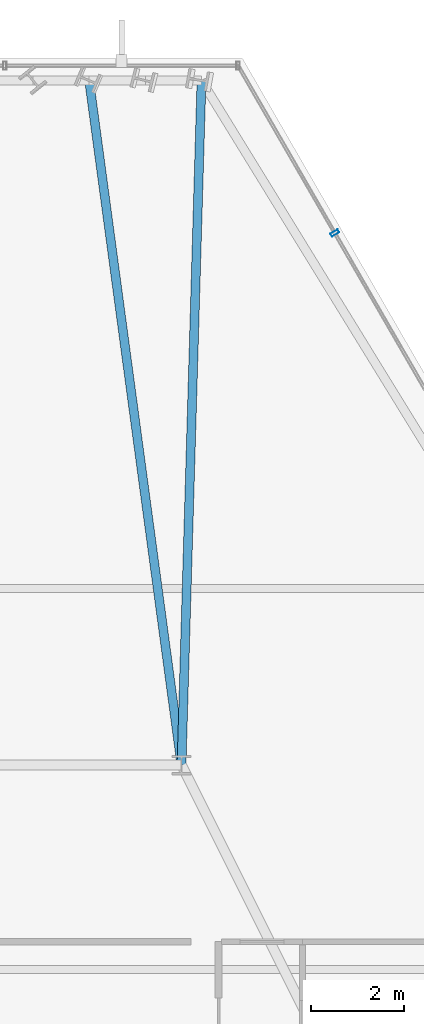
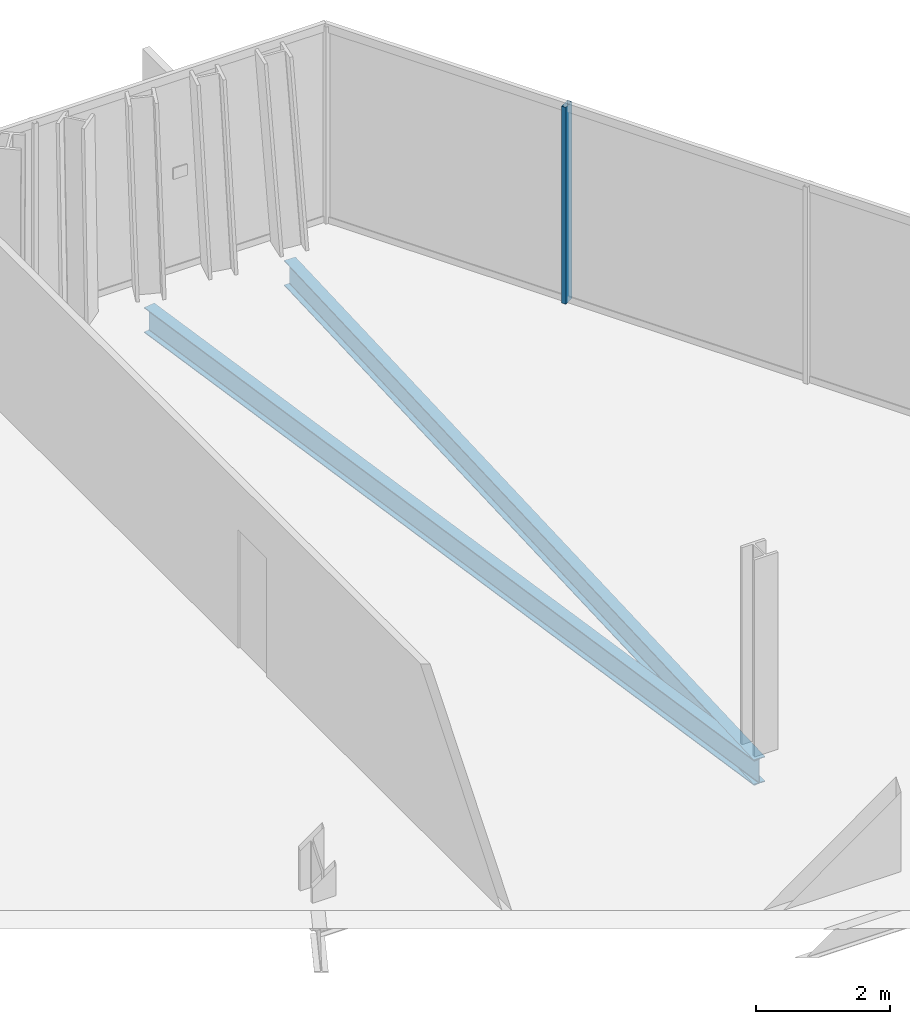
# One storey, part 24 of 35: 2 beams, 1 member, 1 element without a shape of its own.
"""IFC4 building model written with IfcOpenShell, lengths in metres."""

import ifcopenshell
import ifcopenshell.guid

model = None  # the IFC model being written
_history = None  # IfcOwnerHistory: only IFC2X3 demands one
_inside = {}  # id of a spatial element -> (the spatial element, [elements in it])
_under = {}  # id of a project, library or spatial element -> (it, [spatial elements below it])
_declared = {}  # id of a project -> (the project, [libraries it declares])
_typed = {}  # id of a type object -> (the type object, [elements of that type])
_made_of = {}  # id of a material, layer set ... -> (it, [elements and type objects made of it])


def new_model(schema):
    """Start an empty IFC model of exactly this schema.

    Asked for "IFC4X3", IfcOpenShell would pick the latest addendum, in which some entities
    have other attributes; the version numbers below select the first issue.
    IFC2X3 requires an IfcOwnerHistory on every rooted entity: one is made here for all.
    """
    global model, _history
    if schema == "IFC4X3":
        model = ifcopenshell.file(schema_version=(4, 3, 0, 0))
    else:
        model = ifcopenshell.file(schema=schema)
    _inside.clear()
    _under.clear()
    _declared.clear()
    _typed.clear()
    _made_of.clear()
    _history = None
    if model.schema == "IFC2X3":
        org = make("IfcOrganization", Name="unknown")
        user = make(
            "IfcPersonAndOrganization",
            ThePerson=make("IfcPerson", FamilyName="unknown"),
            TheOrganization=org,
        )
        app = make(
            "IfcApplication",
            ApplicationDeveloper=org,
            Version="unknown",
            ApplicationFullName="unknown",
            ApplicationIdentifier="unknown",
        )
        _history = make(
            "IfcOwnerHistory",
            OwningUser=user,
            OwningApplication=app,
            ChangeAction="ADDED",
            CreationDate=0,
        )
    return model


def make(cls, **values):
    """One entity of the class cls with the attributes given. An attribute that is None is left unset."""
    return model.create_entity(
        cls, **{name: value for name, value in values.items() if value is not None}
    )


def rooted(cls, **values):
    """An entity with a GlobalId (a new one), such as an element, a storey or a relation."""
    return make(cls, GlobalId=ifcopenshell.guid.new(), OwnerHistory=_history, **values)


def si_unit(unit_type, name, prefix=None):
    """IfcSIUnit, for example si_unit("LENGTHUNIT", "METRE", prefix="MILLI")."""
    return make("IfcSIUnit", UnitType=unit_type, Prefix=prefix, Name=name)


def assignment(units):
    """IfcUnitAssignment: the units of a project."""
    return None if units is None else make("IfcUnitAssignment", Units=units)


def point(xyz):
    """IfcCartesianPoint."""
    return None if xyz is None else make("IfcCartesianPoint", Coordinates=xyz)


def direction(xyz):
    """IfcDirection."""
    return None if xyz is None else make("IfcDirection", DirectionRatios=xyz)


def frame(location, z_axis=None, x_axis=None):
    """IfcAxis2Placement3D, a coordinate frame: its origin and axes. An axis left out is left unset."""
    return make(
        "IfcAxis2Placement3D",
        Location=point(location),
        Axis=direction(z_axis),
        RefDirection=direction(x_axis),
    )


def frame_2d(location, x_axis=None):
    """IfcAxis2Placement2D, a coordinate frame in the plane: its origin and x axis."""
    return make(
        "IfcAxis2Placement2D", Location=point(location), RefDirection=direction(x_axis)
    )


def origin():
    """The frame at (0, 0, 0) with its axes left unset."""
    return frame((0.0, 0.0, 0.0))


def origin_2d():
    """The frame at (0, 0) in the plane with its x axis left unset."""
    return frame_2d((0.0, 0.0))


def place(relative_to, where):
    """IfcLocalPlacement: puts the frame where relative to a parent placement (None: the world)."""
    return make(
        "IfcLocalPlacement", PlacementRelTo=relative_to, RelativePlacement=where
    )


def context(
    kind, dimensions, precision=None, world=None, true_north=None, identifier=None
):
    """IfcGeometricRepresentationContext, for example the 3D "Model" context."""
    return make(
        "IfcGeometricRepresentationContext",
        ContextIdentifier=identifier,
        ContextType=kind,
        CoordinateSpaceDimension=dimensions,
        Precision=precision,
        WorldCoordinateSystem=world,
        TrueNorth=true_north,
    )


def subcontext(parent, identifier, kind, view, scale=None):
    """IfcGeometricRepresentationSubContext, for example "Body" below "Model"."""
    return make(
        "IfcGeometricRepresentationSubContext",
        ContextIdentifier=identifier,
        ContextType=kind,
        ParentContext=parent,
        TargetScale=scale,
        TargetView=view,
    )


def project(units=None, contexts=None):
    """IfcProject with its units and contexts."""
    return rooted(
        "IfcProject",
        Name="project",
        RepresentationContexts=contexts,
        UnitsInContext=assignment(units),
    )


def spatial(cls, under=None, at=None, **own):
    """A site, building, storey or space (cls), placed at a placement, below another one or the project."""
    s = rooted(cls, ObjectPlacement=at, **own)
    if under is not None:
        _under.setdefault(under.id(), (under, []))[1].append(s)
    return s


def profile(cls, at=None, kind="AREA", **sizes):
    """A parametric profile (cls). Its sizes go by their IFC names, for example OverallWidth=200.0."""
    return make(cls, ProfileType=kind, Position=at, **sizes)


def hollow_rectangle(**sizes):
    """IfcRectangleHollowProfileDef."""
    return profile("IfcRectangleHollowProfileDef", **sizes)


def i_section(**sizes):
    """IfcIShapeProfileDef."""
    return profile("IfcIShapeProfileDef", **sizes)


def extrude(swept, where, along, depth):
    """IfcExtrudedAreaSolid: the profile swept, set in the frame where, extruded along a direction by depth."""
    return make(
        "IfcExtrudedAreaSolid",
        SweptArea=swept,
        Position=where,
        ExtrudedDirection=direction(along),
        Depth=depth,
    )


def shape(context_of_items, identifier, shape_type, items):
    """IfcShapeRepresentation: the items that make up one representation, for example the "Body"."""
    return make(
        "IfcShapeRepresentation",
        ContextOfItems=context_of_items,
        RepresentationIdentifier=identifier,
        RepresentationType=shape_type,
        Items=items,
    )


def material(Name=None, Category=None):
    """IfcMaterial."""
    return make("IfcMaterial", Name=Name, Category=Category)


def layer(
    of_material, thickness, ventilated=None, Name=None, Category=None, Priority=None
):
    """IfcMaterialLayer: one layer of a wall or slab, of a material (None: an air gap)."""
    return make(
        "IfcMaterialLayer",
        Material=of_material,
        LayerThickness=thickness,
        IsVentilated=ventilated,
        Name=Name,
        Category=Category,
        Priority=Priority,
    )


def layer_set(layers, Name=None):
    """IfcMaterialLayerSet."""
    return make("IfcMaterialLayerSet", MaterialLayers=layers, LayerSetName=Name)


def material_profile(
    of_material, cross_section, Name=None, Category=None, Priority=None
):
    """IfcMaterialProfile: a cross section and its material."""
    return make(
        "IfcMaterialProfile",
        Name=Name,
        Material=of_material,
        Profile=cross_section,
        Priority=Priority,
        Category=Category,
    )


def profile_set(profiles, Name=None, composite=None):
    """IfcMaterialProfileSet."""
    return make(
        "IfcMaterialProfileSet",
        Name=Name,
        MaterialProfiles=profiles,
        CompositeProfile=composite,
    )


def made_of(thing, what):
    """Note that an element or type object is made of a material, layer set ...; save() writes the relation."""
    if what is not None:
        _made_of.setdefault(what.id(), (what, []))[1].append(thing)
    return thing


def type_object(cls, material=None, **own):
    """A type object (cls), such as IfcWallType, which elements share."""
    return made_of(rooted(cls, **own), material)


def element(
    cls,
    number,
    at=None,
    inside=None,
    cuts=None,
    type_object=None,
    material=None,
    context=None,
    identifier="Body",
    shape_type=None,
    held_by="IfcProductDefinitionShape",
    body=None,
    shapes=None,
    **own,
):
    """One element of the class cls, such as IfcWall. Its Tag is "e" and its number.

    at: its placement. inside: the storey or other place that contains it. cuts: it is an
    opening in that element (IfcRelVoidsElement). A single representation is given by context,
    identifier, shape_type and body (its items); several are given by shapes. held_by: the class
    of the entity that holds the representations. save() writes the other relations.
    """
    e = rooted(cls, Tag="e%d" % number, ObjectPlacement=at, **own)
    if body is not None:
        shapes = [shape(context, identifier, shape_type, body)]
    if shapes is not None:
        e.Representation = make(held_by, Representations=shapes)
    if inside is not None:
        _inside.setdefault(inside.id(), (inside, []))[1].append(e)
    if cuts is not None:
        rooted(
            "IfcRelVoidsElement", RelatingBuildingElement=cuts, RelatedOpeningElement=e
        )
    if type_object is not None:
        _typed.setdefault(type_object.id(), (type_object, []))[1].append(e)
    return made_of(e, material)


def aggregate(whole, parts):
    """IfcRelAggregates: a whole, such as a stair, and the parts it consists of."""
    return rooted("IfcRelAggregates", RelatingObject=whole, RelatedObjects=parts)


def save(model, path):
    """Write the relations noted so far, then the file.

    IfcRelAggregates (storeys below a building ...), IfcRelContainedInSpatialStructure (elements
    in a storey), IfcRelDefinesByType, IfcRelAssociatesMaterial and IfcRelDeclares: one each for
    every whole, place, type object, material and project.
    """
    for whole, parts in _under.values():
        aggregate(whole, parts)
    for where, things in _inside.values():
        rooted(
            "IfcRelContainedInSpatialStructure",
            RelatedElements=things,
            RelatingStructure=where,
        )
    for kind, things in _typed.values():
        rooted("IfcRelDefinesByType", RelatedObjects=things, RelatingType=kind)
    for what, things in _made_of.values():
        rooted("IfcRelAssociatesMaterial", RelatedObjects=things, RelatingMaterial=what)
    for by, libraries in _declared.values():
        rooted("IfcRelDeclares", RelatingContext=by, RelatedDefinitions=libraries)
    model.write(path)


model = new_model("IFC4")

# Units and contexts
model_context = context("Model", 3, precision=1e-05, world=origin(), true_north=direction((0.0, 1.0)))
body_context = subcontext(model_context, "Body", "Model", "MODEL_VIEW")
ifc_project = project(units=[si_unit("LENGTHUNIT", "METRE"), si_unit("AREAUNIT", "SQUARE_METRE"), si_unit("VOLUMEUNIT", "CUBIC_METRE"), si_unit("PLANEANGLEUNIT", "RADIAN"), si_unit("MASSUNIT", "GRAM", prefix="KILO")], contexts=[model_context])

# Site, building, storey
site_placement = place(None, origin())
site = spatial("IfcSite", under=ifc_project, at=site_placement, CompositionType="ELEMENT")
building_placement = place(site_placement, origin())
building = spatial("IfcBuilding", under=site, at=building_placement, Name="Ndaravel Arena Tower", CompositionType="ELEMENT")
storey_placement = place(building_placement, frame((0.0, 0.0, 180.199951171875)))
storey = spatial("IfcBuildingStorey", under=building, at=storey_placement, Name="L43", CompositionType="ELEMENT", Elevation=180.199951171875)

# Beams
ifc_material_1 = material(Name="Steel S355", Category="steel")
ifc_material_profile_1 = material_profile(ifc_material_1, i_section(OverallWidth=0.19140625, OverallDepth=0.4599609375, WebThickness=0.010009765625, FlangeThickness=0.01611328125, FilletRadius=0.01025390625, at=origin_2d()), Name="UB 457x191x82")
ifc_profile_set_1 = profile_set([ifc_material_profile_1], Name="Steel S355")
beam_type = type_object("IfcBeamType", Name="BM-GIRD-UB457", PredefinedType="BEAM", material=ifc_profile_set_1)
beam_1_placement = place(storey_placement, frame((46.229736328125, 45.92822265625, -0.449951171875), z_axis=(-0.029161925391, -0.999574700614, 0.0), x_axis=(0.999574700614, -0.029161925391, 0.0)))
element("IfcBeam", 1, at=beam_1_placement, inside=storey, type_object=beam_type, Name="L43 Radial Floor Girder FG-11", PredefinedType="BEAM", context=body_context, shape_type="SweptSolid", body=[
    extrude(i_section(OverallWidth=0.19140625, OverallDepth=0.4599609375, WebThickness=0.010009765625, FlangeThickness=0.01611328125, FilletRadius=0.01025390625, at=origin_2d()), origin(), (0.0, 0.0, 1.0), 14.734619140625),
])
beam_2_placement = place(storey_placement, frame((43.812744140625, 45.92822265625, -0.449951171875), z_axis=(0.133719502898, -0.991019220068, 0.0), x_axis=(0.991019220068, 0.133719502898, 0.0)))
element("IfcBeam", 2, at=beam_2_placement, inside=storey, type_object=beam_type, Name="L43 Radial Floor Girder FG-13", PredefinedType="BEAM", context=body_context, shape_type="SweptSolid", body=[
    extrude(i_section(OverallWidth=0.19140625, OverallDepth=0.4599609375, WebThickness=0.010009765625, FlangeThickness=0.01611328125, FilletRadius=0.01025390625, at=origin_2d()), origin(), (0.0, 0.0, 1.0), 14.86181640625),
])

# Curtain wall, member
ifc_material_2 = material(Name="Aluminium", Category="aluminium")
ifc_layer = layer(ifc_material_2, 0.179931640625)
ifc_layer_set = layer_set([ifc_layer], Name="Aluminium")
curtain_wall_type = type_object("IfcCurtainWallType", Name="CW-SYS-03", PredefinedType="NOTDEFINED", material=ifc_layer_set)
curtain_wall_placement = place(storey_placement, origin())
curtain_wall = element("IfcCurtainWall", 3, at=curtain_wall_placement, inside=storey, type_object=curtain_wall_type, Name="L43 Faceted Crystal Curtain Wall CW-L43-E03", PredefinedType="NOTDEFINED")
ifc_material_3 = material(Name="Aluminium", Category="aluminium")
ifc_material_profile_2 = material_profile(ifc_material_3, hollow_rectangle(XDim=0.074951171875, YDim=0.179931640625, WallThickness=0.00390625, at=origin_2d()), Name="CW MULLION 75x180x4")
ifc_profile_set_2 = profile_set([ifc_material_profile_2], Name="Aluminium")
member_type = type_object("IfcMemberType", Name="MEM-CW-MUL180", PredefinedType="MULLION", material=ifc_profile_set_2)
member_placement = place(storey_placement, frame((49.096923828125, 42.648681640625, 0.0), z_axis=(0.0, 0.0, 1.0), x_axis=(-0.5, 0.866025403784, 0.0)))
member = element("IfcMember", 4, at=member_placement, type_object=member_type, Name="CW-L43-E03 Mullion 08", PredefinedType="MULLION", context=body_context, shape_type="SweptSolid", body=[
    extrude(hollow_rectangle(XDim=0.074951171875, YDim=0.179931640625, WallThickness=0.00390625, at=origin_2d()), origin(), (0.0, 0.0, 1.0), 3.580078125),
])
aggregate(curtain_wall, [member])

save(model, "model.ifc")
